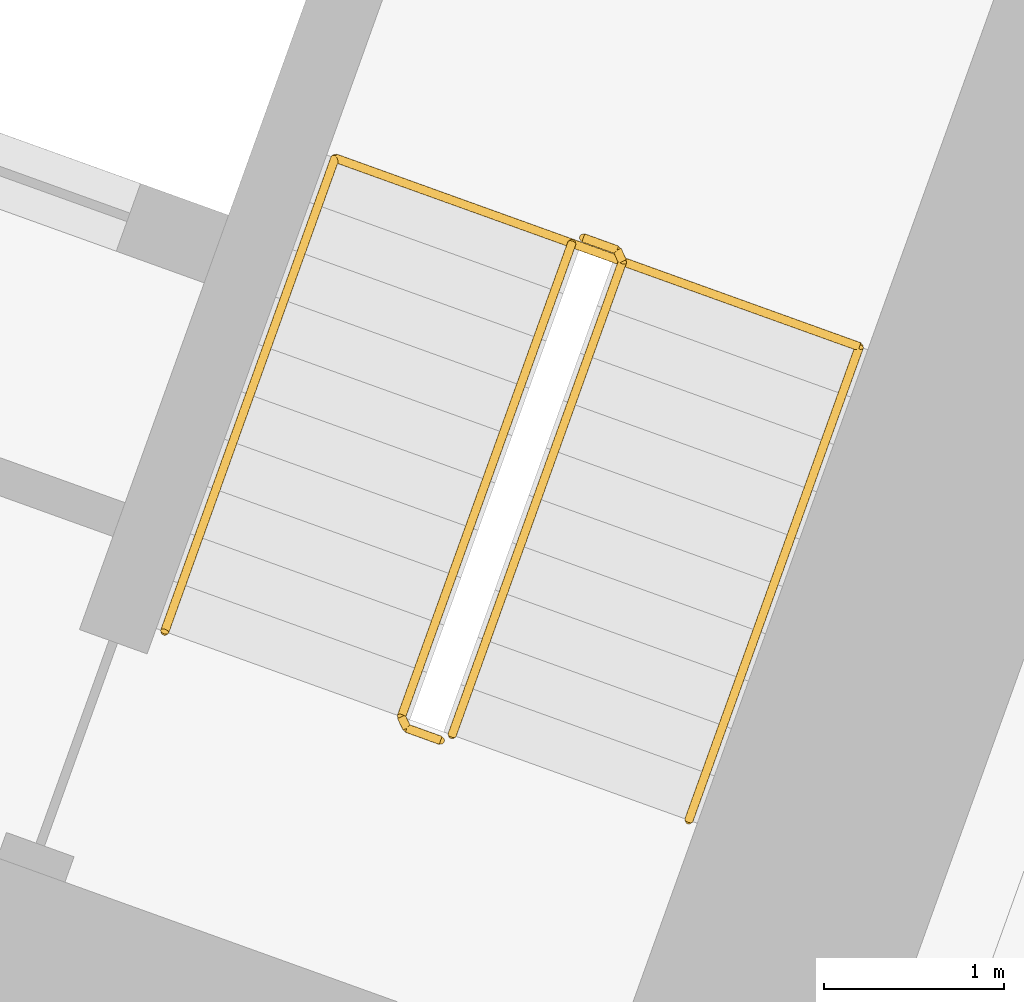
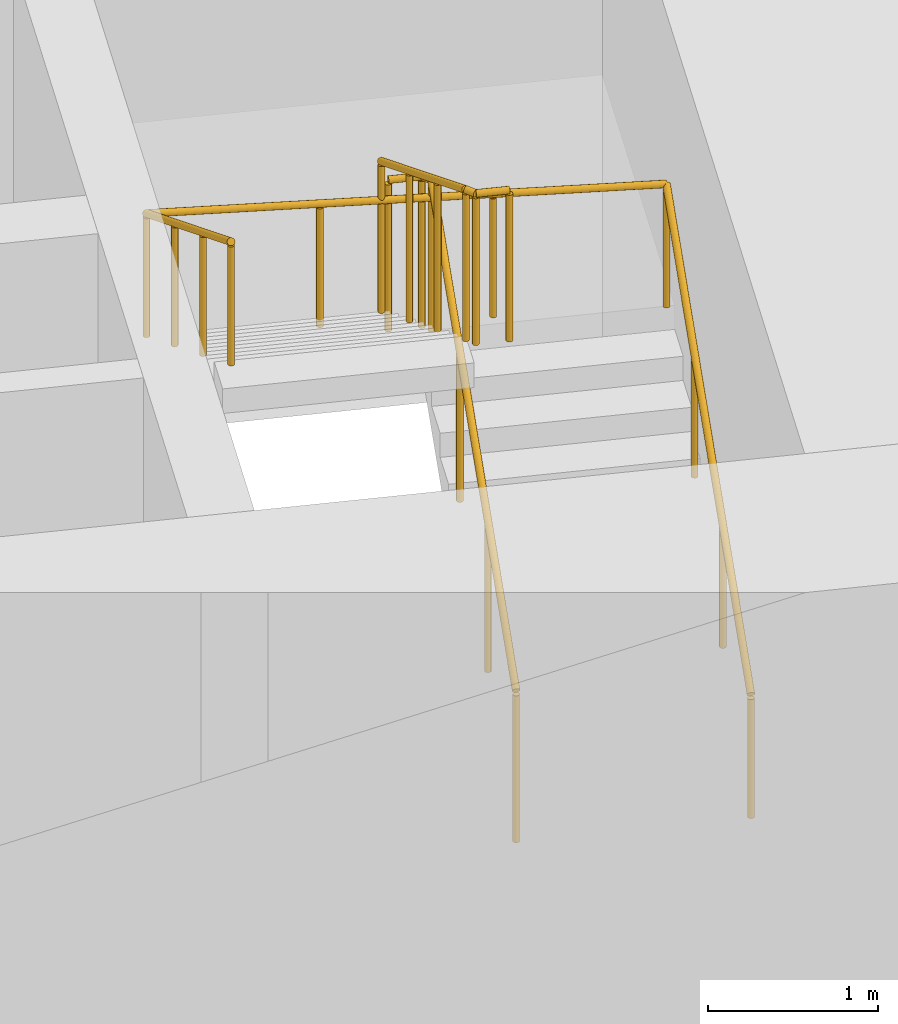
# One storey, part 20 of 20: 3 railings.
"""IFC4 building model written with IfcOpenShell, lengths in metres."""

from ifc_helpers import new_model, si_unit, direction, frame, origin, origin_2d, place, context, subcontext, project, spatial, circle, extrude, material, type_object, element, save


model = new_model("IFC4")

# Units and contexts
model_context = context("Model", 3, precision=1e-05, world=origin(), true_north=direction((0.0, 1.0)))
body_context = subcontext(model_context, "Body", "Model", "MODEL_VIEW")
ifc_project = project(units=[si_unit("LENGTHUNIT", "METRE"), si_unit("AREAUNIT", "SQUARE_METRE"), si_unit("VOLUMEUNIT", "CUBIC_METRE"), si_unit("PLANEANGLEUNIT", "RADIAN"), si_unit("MASSUNIT", "GRAM", prefix="KILO")], contexts=[model_context])

# Site, building, storey
site_placement = place(None, origin())
site = spatial("IfcSite", under=ifc_project, at=site_placement, CompositionType="ELEMENT")
building_placement = place(site_placement, origin())
building = spatial("IfcBuilding", under=site, at=building_placement, Name="Stone Belt Terrace Tower", CompositionType="ELEMENT")
storey_placement = place(building_placement, frame((0.0, 0.0, 147.800048828125)))
storey = spatial("IfcBuildingStorey", under=building, at=storey_placement, Name="L35", CompositionType="ELEMENT", Elevation=147.800048828125)

# Railings
ifc_material = material(Name="Structural steel C345", Category="steel")
railing_type_1 = type_object("IfcRailingType", Name="Stair guard 1100", PredefinedType="GUARDRAIL", material=ifc_material)
railing_1_placement = place(storey_placement, frame((24.494140625, 45.174560546875, 0.172607421875)))
element("IfcRailing", 1, at=railing_1_placement, inside=storey, type_object=railing_type_1, Name="L35 ST1B stair guard 1", PredefinedType="GUARDRAIL", context=body_context, shape_type="SweptSolid", body=[
    extrude(circle(Radius=0.02392578125, at=origin_2d()), frame((0.0, 0.0, 1.076171875), z_axis=(0.288228637646, 0.800791768495, 0.525030280985), x_axis=(-0.940908529223, 0.338660803216, 0.0)), (0.0, 0.0, 1.0), 3.289794921875),
    extrude(circle(Radius=0.02392578125, at=origin_2d()), frame((0.9482421875, 2.634521484375, 2.80322265625), z_axis=(-0.424964916, 0.905209821074, 0.0), x_axis=(-0.905209821074, -0.424964916, 0.0)), (0.0, 0.0, 1.0), 0.070556640625),
    extrude(circle(Radius=0.02392578125, at=origin_2d()), frame((0.918212890625, 2.698486328125, 2.80322265625), z_axis=(-0.941105063269, 0.338114270461, 0.0), x_axis=(-0.338114270461, -0.941105063269, 0.0)), (0.0, 0.0, 1.0), 0.199951171875),
    extrude(circle(Radius=0.02099609375, at=origin_2d()), origin(), (0.0, 0.0, 1.0), 1.052001953125),
    extrude(circle(Radius=0.02099609375, at=origin_2d()), frame((0.316162109375, 0.878173828125, 0.57568359375)), (0.0, 0.0, 1.0), 1.052001953125),
    extrude(circle(Radius=0.02099609375, at=origin_2d()), frame((0.632080078125, 1.75634765625, 1.151611328125)), (0.0, 0.0, 1.0), 1.052001953125),
    extrude(circle(Radius=0.02099609375, at=origin_2d()), frame((0.9482421875, 2.634521484375, 1.727294921875)), (0.0, 0.0, 1.0), 1.052001953125),
    extrude(circle(Radius=0.02099609375, at=origin_2d()), frame((0.918212890625, 2.698486328125, 1.727294921875)), (0.0, 0.0, 1.0), 1.052001953125),
    extrude(circle(Radius=0.02099609375, at=origin_2d()), frame((0.72998046875, 2.76611328125, 1.727294921875)), (0.0, 0.0, 1.0), 1.052001953125),
])
railing_2_placement = place(storey_placement, frame((25.16015625, 47.91064453125, 2.07275390625)))
element("IfcRailing", 2, at=railing_2_placement, inside=storey, type_object=railing_type_1, Name="L35 ST1B stair guard 2", PredefinedType="GUARDRAIL", context=body_context, shape_type="SweptSolid", body=[
    extrude(circle(Radius=0.02392578125, at=origin_2d()), frame((0.0, 0.0, 1.076171875), z_axis=(-0.288228637646, -0.800791768495, 0.525030280985), x_axis=(0.940908529223, -0.338660803216, 0.0)), (0.0, 0.0, 1.0), 3.289794921875),
    extrude(circle(Radius=0.02392578125, at=origin_2d()), frame((-0.9482421875, -2.634521484375, 2.80322265625), z_axis=(0.427789722475, -0.903878284585, 0.0), x_axis=(0.903878284585, 0.427789722475, 0.0)), (0.0, 0.0, 1.0), 0.07080078125),
    extrude(circle(Radius=0.02392578125, at=origin_2d()), frame((-0.91796875, -2.698486328125, 2.80322265625), z_axis=(0.940575576748, -0.339584429008, 0.0), x_axis=(0.339584429008, 0.940575576748, 0.0)), (0.0, 0.0, 1.0), 0.199951171875),
    extrude(circle(Radius=0.02099609375, at=origin_2d()), origin(), (0.0, 0.0, 1.0), 1.052001953125),
    extrude(circle(Radius=0.02099609375, at=origin_2d()), frame((-0.316162109375, -0.878173828125, 0.57568359375)), (0.0, 0.0, 1.0), 1.052001953125),
    extrude(circle(Radius=0.02099609375, at=origin_2d()), frame((-0.632080078125, -1.75634765625, 1.151611328125)), (0.0, 0.0, 1.0), 1.052001953125),
    extrude(circle(Radius=0.02099609375, at=origin_2d()), frame((-0.9482421875, -2.634521484375, 1.727294921875)), (0.0, 0.0, 1.0), 1.052001953125),
    extrude(circle(Radius=0.02099609375, at=origin_2d()), frame((-0.91796875, -2.698486328125, 1.727294921875)), (0.0, 0.0, 1.0), 1.052001953125),
    extrude(circle(Radius=0.02099609375, at=origin_2d()), frame((-0.72998046875, -2.766357421875, 1.727294921875)), (0.0, 0.0, 1.0), 1.052001953125),
])
railing_type_2 = type_object("IfcRailingType", Name="Stair handrail 900", PredefinedType="HANDRAIL", material=ifc_material)
railing_3_placement = place(storey_placement, frame((25.8115234375, 44.700439453125, 0.172607421875)))
element("IfcRailing", 3, at=railing_3_placement, inside=storey, type_object=railing_type_2, Name="L35 ST1B stair handrail 1", PredefinedType="HANDRAIL", context=body_context, shape_type="SweptSolid", body=[
    extrude(circle(Radius=0.02392578125, at=origin_2d()), frame((0.0, 0.0, 0.8759765625), z_axis=(0.288228637646, 0.800791768495, 0.525030280985), x_axis=(-0.940908529223, 0.338660803216, 0.0)), (0.0, 0.0, 1.0), 3.289794921875),
    extrude(circle(Radius=0.02392578125, at=origin_2d()), frame((0.9482421875, 2.634521484375, 2.60302734375), z_axis=(-0.939460408074, 0.338105101667, 0.055669398135), x_axis=(-0.338630230244, -0.940919532779, 0.0)), (0.0, 0.0, 1.0), 3.10498046875),
    extrude(circle(Radius=0.02392578125, at=origin_2d()), frame((-1.96875, 3.684326171875, 2.77587890625), z_axis=(-0.288160591223, -0.800808895155, 0.52504150989), x_axis=(0.940936311087, -0.338583606334, 0.0)), (0.0, 0.0, 1.0), 3.289794921875),
    extrude(circle(Radius=0.02099609375, at=origin_2d()), origin(), (0.0, 0.0, 1.0), 0.851806640625),
    extrude(circle(Radius=0.02099609375, at=origin_2d()), frame((0.316162109375, 0.878173828125, 0.57568359375)), (0.0, 0.0, 1.0), 0.851806640625),
    extrude(circle(Radius=0.02099609375, at=origin_2d()), frame((0.632080078125, 1.75634765625, 1.151611328125)), (0.0, 0.0, 1.0), 0.851806640625),
    extrude(circle(Radius=0.02099609375, at=origin_2d()), frame((0.9482421875, 2.634521484375, 1.727294921875)), (0.0, 0.0, 1.0), 0.851806640625),
    extrude(circle(Radius=0.02099609375, at=origin_2d()), frame((-0.024169921875, 2.984375, 1.784912109375)), (0.0, 0.0, 1.0), 0.851806640625),
    extrude(circle(Radius=0.02099609375, at=origin_2d()), frame((-0.996337890625, 3.33447265625, 1.842529296875)), (0.0, 0.0, 1.0), 0.851806640625),
    extrude(circle(Radius=0.02099609375, at=origin_2d()), frame((-1.96875, 3.684326171875, 1.900146484375)), (0.0, 0.0, 1.0), 0.851806640625),
    extrude(circle(Radius=0.02099609375, at=origin_2d()), frame((-2.28466796875, 2.80615234375, 2.475830078125)), (0.0, 0.0, 1.0), 0.851806640625),
    extrude(circle(Radius=0.02099609375, at=origin_2d()), frame((-2.600830078125, 1.927978515625, 3.0517578125)), (0.0, 0.0, 1.0), 0.851806640625),
    extrude(circle(Radius=0.02099609375, at=origin_2d()), frame((-2.916748046875, 1.0498046875, 3.62744140625)), (0.0, 0.0, 1.0), 0.851806640625),
])

save(model, "model.ifc")
